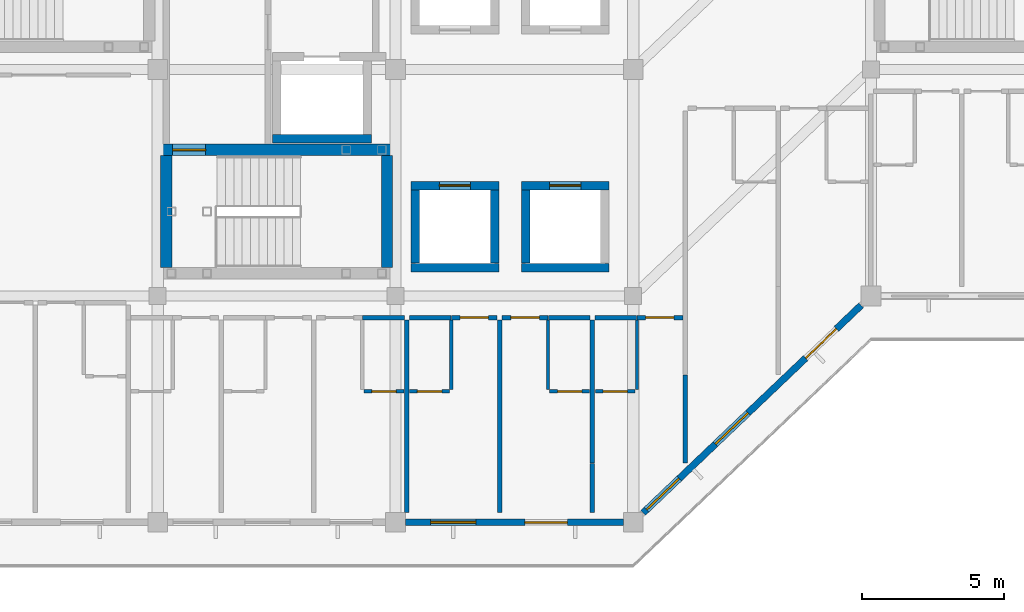
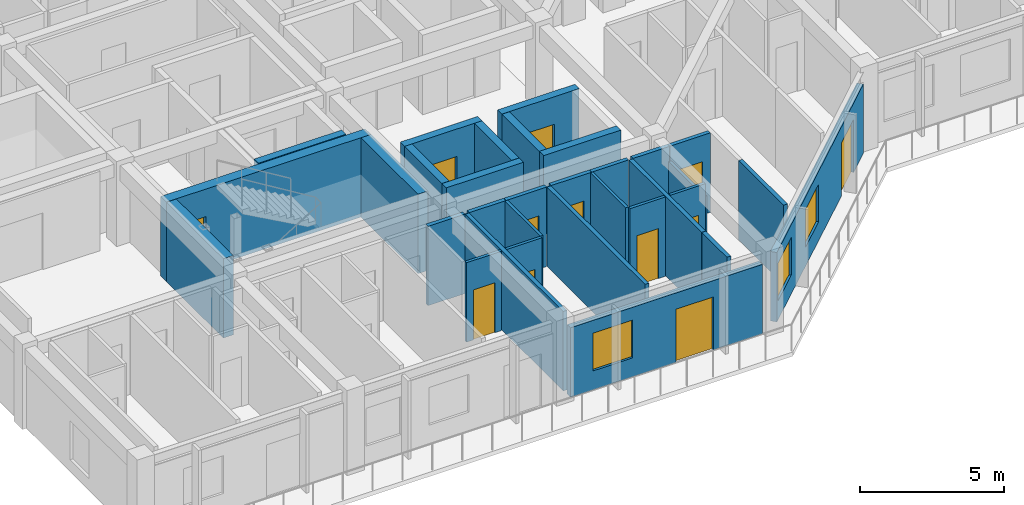
# One storey, part 5 of 15: 32 walls, 12 doors, 3 windows, 15 openings.
"""IFC4 building model written with IfcOpenShell, lengths in metres."""

from ifc_helpers import new_model, si_unit, direction, frame, frame_2d, origin, place, context, subcontext, project, spatial, rectangle, extrude, material, layer, layer_set, type_object, element, fill, save


model = new_model("IFC4")

# Units and contexts
model_context = context("Model", 3, precision=1e-05, world=origin(), true_north=direction((0.0, 1.0)))
body_context = subcontext(model_context, "Body", "Model", "MODEL_VIEW")
ifc_project = project(units=[si_unit("LENGTHUNIT", "METRE"), si_unit("AREAUNIT", "SQUARE_METRE"), si_unit("VOLUMEUNIT", "CUBIC_METRE"), si_unit("PLANEANGLEUNIT", "RADIAN"), si_unit("MASSUNIT", "GRAM", prefix="KILO")], contexts=[model_context])

# Site, building, storey
site_placement = place(None, origin())
site = spatial("IfcSite", under=ifc_project, at=site_placement, CompositionType="ELEMENT")
building_placement = place(site_placement, origin())
building = spatial("IfcBuilding", under=site, at=building_placement, Name="Naruveol Harbour Congress Hotel", CompositionType="ELEMENT")
storey_placement = place(building_placement, frame((0.0, 0.0, 36.0)))
storey = spatial("IfcBuildingStorey", under=building, at=storey_placement, Name="L08", CompositionType="ELEMENT", Elevation=36.0)

# Wall, opening, door
ifc_material_1 = material(Name="Moisture-Resistant Gypsum Partition", Category="gypsum")
ifc_layer_1 = layer(ifc_material_1, 0.114990234375)
ifc_layer_set_1 = layer_set([ifc_layer_1], Name="Moisture-Resistant Gypsum Partition")
wall_type_1 = type_object("IfcWallType", Name="BATHROOM MOISTURE PARTITION WALL 115", PredefinedType="PARTITIONING", material=ifc_layer_set_1)
wall_1_placement = place(storey_placement, frame((133.2900390625, 4.6298828125, 0.0), z_axis=(0.0, 0.0, 1.0), x_axis=(1.0, 0.0, 0.0)))
wall_1 = element("IfcWall", 1, at=wall_1_placement, inside=storey, type_object=wall_type_1, Name="Bathroom south wall 0925 PW-115", PredefinedType="PARTITIONING", context=body_context, shape_type="SweptSolid", body=[
    extrude(rectangle(XDim=1.409912109375, YDim=0.114990234375, at=frame_2d((0.705078125, 0.0))), origin(), (0.0, 0.0, 1.0), 3.364990234375),
])
opening_1_placement = place(wall_1_placement, frame((0.27490234375, 0.0, 0.0)))
opening_1 = element("IfcOpeningElement", 2, at=opening_1_placement, cuts=wall_1, Name="Opening BD-RM0925", PredefinedType="OPENING", context=body_context, shape_type="SweptSolid", body=[
    extrude(rectangle(XDim=0.860107421875, YDim=2.1201171875, at=frame_2d((0.43017578125, 1.06005859375))), frame((0.0, 0.0673828125, 0.0), z_axis=(0.0, -1.0, 0.0), x_axis=(1.0, 0.0, 0.0)), (0.0, 0.0, 1.0), 0.135009765625),
])
ifc_material_2 = material(Name="Timber & Steel Acoustic Leaf", Category="steel")
door_type_1 = type_object("IfcDoorType", Name="GUEST BATHROOM DOOR 860X2120", OperationType="NOTDEFINED", PredefinedType="DOOR", material=ifc_material_2)
door_1_placement = place(opening_1_placement, origin())
door_1 = element("IfcDoor", 3, at=door_1_placement, inside=storey, type_object=door_type_1, Name="Bathroom Door 0925", OperationType="SINGLE_SWING_RIGHT", OverallHeight=2.1201171875, OverallWidth=0.860107421875, PredefinedType="DOOR", context=body_context, shape_type="SweptSolid", body=[
    extrude(rectangle(XDim=0.860107421875, YDim=2.1201171875, at=frame_2d((0.43017578125, 1.06005859375))), frame((0.0, 0.02490234375, 0.0), z_axis=(0.0, -1.0, 0.0), x_axis=(1.0, 0.0, 0.0)), (0.0, 0.0, 1.0), 0.050048828125),
])
fill(opening_1, door_1)

# Wall
wall_2_placement = place(storey_placement, frame((136.3701171875, 4.68994140625, 0.0), z_axis=(0.0, 0.0, 1.0), x_axis=(0.0, 1.0, 0.0)))
element("IfcWall", 4, at=wall_2_placement, inside=storey, type_object=wall_type_1, Name="Bathroom east wall 0926 PW-115", PredefinedType="PARTITIONING", context=body_context, shape_type="SweptSolid", body=[
    extrude(rectangle(XDim=2.449951171875, YDim=0.114990234375, at=frame_2d((1.22509765625, 0.0))), origin(), (0.0, 0.0, 1.0), 3.364990234375),
])

# Wall, opening, door
wall_3_placement = place(storey_placement, frame((134.89990234375, 4.6298828125, 0.0), z_axis=(0.0, 0.0, 1.0), x_axis=(1.0, 0.0, 0.0)))
wall_3 = element("IfcWall", 5, at=wall_3_placement, inside=storey, type_object=wall_type_1, Name="Bathroom south wall 0926 PW-115", PredefinedType="PARTITIONING", context=body_context, shape_type="SweptSolid", body=[
    extrude(rectangle(XDim=1.41015625, YDim=0.114990234375, at=frame_2d((0.705078125, 0.0))), origin(), (0.0, 0.0, 1.0), 3.364990234375),
])
opening_2_placement = place(wall_3_placement, frame((0.27490234375, 0.0, 0.0)))
opening_2 = element("IfcOpeningElement", 6, at=opening_2_placement, cuts=wall_3, Name="Opening BD-RM0926", PredefinedType="OPENING", context=body_context, shape_type="SweptSolid", body=[
    extrude(rectangle(XDim=0.860107421875, YDim=2.1201171875, at=frame_2d((0.43017578125, 1.06005859375))), frame((0.0, 0.0673828125, 0.0), z_axis=(0.0, -1.0, 0.0), x_axis=(1.0, 0.0, 0.0)), (0.0, 0.0, 1.0), 0.135009765625),
])
door_2_placement = place(opening_2_placement, origin())
door_2 = element("IfcDoor", 7, at=door_2_placement, inside=storey, type_object=door_type_1, Name="Bathroom Door 0926", OperationType="SINGLE_SWING_RIGHT", OverallHeight=2.1201171875, OverallWidth=0.860107421875, PredefinedType="DOOR", context=body_context, shape_type="SweptSolid", body=[
    extrude(rectangle(XDim=0.860107421875, YDim=2.1201171875, at=frame_2d((0.43017578125, 1.06005859375))), frame((0.0, 0.02490234375, 0.0), z_axis=(0.0, -1.0, 0.0), x_axis=(1.0, 0.0, 0.0)), (0.0, 0.0, 1.0), 0.050048828125),
])
fill(opening_2, door_2)

# Wall
wall_4_placement = place(storey_placement, frame((139.7900390625, 4.68994140625, 0.0), z_axis=(0.0, 0.0, 1.0), x_axis=(0.0, 1.0, 0.0)))
element("IfcWall", 8, at=wall_4_placement, inside=storey, type_object=wall_type_1, Name="Bathroom west wall 0927 PW-115", PredefinedType="PARTITIONING", context=body_context, shape_type="SweptSolid", body=[
    extrude(rectangle(XDim=2.449951171875, YDim=0.114990234375, at=frame_2d((1.22509765625, 0.0))), origin(), (0.0, 0.0, 1.0), 3.364990234375),
])

# Wall, opening, door
wall_5_placement = place(storey_placement, frame((139.85009765625, 4.6298828125, 0.0), z_axis=(0.0, 0.0, 1.0), x_axis=(1.0, 0.0, 0.0)))
wall_5 = element("IfcWall", 9, at=wall_5_placement, inside=storey, type_object=wall_type_1, Name="Bathroom south wall 0927 PW-115", PredefinedType="PARTITIONING", context=body_context, shape_type="SweptSolid", body=[
    extrude(rectangle(XDim=1.409912109375, YDim=0.114990234375, at=frame_2d((0.705078125, 0.0))), origin(), (0.0, 0.0, 1.0), 3.364990234375),
])
opening_3_placement = place(wall_5_placement, frame((0.27490234375, 0.0, 0.0)))
opening_3 = element("IfcOpeningElement", 10, at=opening_3_placement, cuts=wall_5, Name="Opening BD-RM0927", PredefinedType="OPENING", context=body_context, shape_type="SweptSolid", body=[
    extrude(rectangle(XDim=0.860107421875, YDim=2.1201171875, at=frame_2d((0.43017578125, 1.06005859375))), frame((0.0, 0.0673828125, 0.0), z_axis=(0.0, -1.0, 0.0), x_axis=(1.0, 0.0, 0.0)), (0.0, 0.0, 1.0), 0.135009765625),
])
door_3_placement = place(opening_3_placement, origin())
door_3 = element("IfcDoor", 11, at=door_3_placement, inside=storey, type_object=door_type_1, Name="Bathroom Door 0927", OperationType="SINGLE_SWING_RIGHT", OverallHeight=2.1201171875, OverallWidth=0.860107421875, PredefinedType="DOOR", context=body_context, shape_type="SweptSolid", body=[
    extrude(rectangle(XDim=0.860107421875, YDim=2.1201171875, at=frame_2d((0.43017578125, 1.06005859375))), frame((0.0, 0.02490234375, 0.0), z_axis=(0.0, -1.0, 0.0), x_axis=(1.0, 0.0, 0.0)), (0.0, 0.0, 1.0), 0.050048828125),
])
fill(opening_3, door_3)

# Wall
wall_6_placement = place(storey_placement, frame((142.929931640625, 4.68994140625, 0.0), z_axis=(0.0, 0.0, 1.0), x_axis=(0.0, 1.0, 0.0)))
element("IfcWall", 12, at=wall_6_placement, inside=storey, type_object=wall_type_1, Name="Bathroom east wall 0928 PW-115", PredefinedType="PARTITIONING", context=body_context, shape_type="SweptSolid", body=[
    extrude(rectangle(XDim=2.449951171875, YDim=0.114990234375, at=frame_2d((1.22509765625, 0.0))), origin(), (0.0, 0.0, 1.0), 2.739990234375),
])

# Wall, opening, door
wall_7_placement = place(storey_placement, frame((141.4599609375, 4.6298828125, 0.0), z_axis=(0.0, 0.0, 1.0), x_axis=(1.0, 0.0, 0.0)))
wall_7 = element("IfcWall", 13, at=wall_7_placement, inside=storey, type_object=wall_type_1, Name="Bathroom south wall 0928 PW-115", PredefinedType="PARTITIONING", context=body_context, shape_type="SweptSolid", body=[
    extrude(rectangle(XDim=1.41015625, YDim=0.114990234375, at=frame_2d((0.705078125, 0.0))), origin(), (0.0, 0.0, 1.0), 3.364990234375),
])
opening_4_placement = place(wall_7_placement, frame((0.27490234375, 0.0, 0.0)))
opening_4 = element("IfcOpeningElement", 14, at=opening_4_placement, cuts=wall_7, Name="Opening BD-RM0928", PredefinedType="OPENING", context=body_context, shape_type="SweptSolid", body=[
    extrude(rectangle(XDim=0.860107421875, YDim=2.1201171875, at=frame_2d((0.43017578125, 1.06005859375))), frame((0.0, 0.0673828125, 0.0), z_axis=(0.0, -1.0, 0.0), x_axis=(1.0, 0.0, 0.0)), (0.0, 0.0, 1.0), 0.135009765625),
])
door_4_placement = place(opening_4_placement, origin())
door_4 = element("IfcDoor", 15, at=door_4_placement, inside=storey, type_object=door_type_1, Name="Bathroom Door 0928", OperationType="SINGLE_SWING_RIGHT", OverallHeight=2.1201171875, OverallWidth=0.860107421875, PredefinedType="DOOR", context=body_context, shape_type="SweptSolid", body=[
    extrude(rectangle(XDim=0.860107421875, YDim=2.1201171875, at=frame_2d((0.43017578125, 1.06005859375))), frame((0.0, 0.02490234375, 0.0), z_axis=(0.0, -1.0, 0.0), x_axis=(1.0, 0.0, 0.0)), (0.0, 0.0, 1.0), 0.050048828125),
])
fill(opening_4, door_4)

# Walls
ifc_material_3 = material(Name="Autoclaved Aerated Concrete Block", Category="concrete")
ifc_layer_2 = layer(ifc_material_3, 0.159912109375)
ifc_layer_set_2 = layer_set([ifc_layer_2], Name="Autoclaved Aerated Concrete Block")
wall_type_2 = type_object("IfcWallType", Name="HOTEL PARTY AND CORRIDOR WALL 160 EI60", PredefinedType="PARTITIONING", material=ifc_layer_set_2)
wall_8_placement = place(storey_placement, frame((133.239990234375, 7.22998046875, 0.0), z_axis=(0.0, 0.0, 1.0), x_axis=(1.0, 0.0, 0.0)))
element("IfcWall", 16, at=wall_8_placement, inside=storey, type_object=wall_type_2, Name="Corridor wall 0925B PW-160", PredefinedType="PARTITIONING", context=body_context, shape_type="SweptSolid", body=[
    extrude(rectangle(XDim=1.469970703125, YDim=0.159912109375, at=frame_2d((0.73486328125, 0.0))), origin(), (0.0, 0.0, 1.0), 3.364990234375),
])
wall_9_placement = place(storey_placement, frame((134.889892578125, 7.22998046875, 0.0), z_axis=(0.0, 0.0, 1.0), x_axis=(1.0, 0.0, 0.0)))
element("IfcWall", 17, at=wall_9_placement, inside=storey, type_object=wall_type_2, Name="Corridor wall 0926B PW-160", PredefinedType="PARTITIONING", context=body_context, shape_type="SweptSolid", body=[
    extrude(rectangle(XDim=1.47021484375, YDim=0.159912109375, at=frame_2d((0.735107421875, 0.0))), origin(), (0.0, 0.0, 1.0), 3.364990234375),
])

# Wall, opening, door
wall_10_placement = place(storey_placement, frame((136.3701171875, 7.22998046875, 0.0), z_axis=(0.0, 0.0, 1.0), x_axis=(1.0, 0.0, 0.0)))
wall_10 = element("IfcWall", 18, at=wall_10_placement, inside=storey, type_object=wall_type_2, Name="Corridor entry wall 0926 PW-160", PredefinedType="PARTITIONING", context=body_context, shape_type="SweptSolid", body=[
    extrude(rectangle(XDim=1.619873046875, YDim=0.159912109375, at=frame_2d((0.81005859375, 0.0))), origin(), (0.0, 0.0, 1.0), 3.364990234375),
])
opening_5_placement = place(wall_10_placement, frame((0.31005859375, 0.0, 0.0)))
opening_5 = element("IfcOpeningElement", 19, at=opening_5_placement, cuts=wall_10, Name="Opening FD-RM0926", PredefinedType="OPENING", context=body_context, shape_type="SweptSolid", body=[
    extrude(rectangle(XDim=1.0, YDim=2.25, at=frame_2d((0.5, 1.125))), frame((0.0, 0.08984375, 0.0), z_axis=(0.0, -1.0, 0.0), x_axis=(1.0, 0.0, 0.0)), (0.0, 0.0, 1.0), 0.179931640625),
])
ifc_material_4 = material(Name="Timber & Steel Acoustic Leaf", Category="steel")
door_type_2 = type_object("IfcDoorType", Name="DELUXE GUEST ENTRANCE FIRE DOOR 1000X2250", OperationType="NOTDEFINED", PredefinedType="DOOR", material=ifc_material_4)
door_5_placement = place(opening_5_placement, origin())
door_5 = element("IfcDoor", 20, at=door_5_placement, inside=storey, type_object=door_type_2, Name="Hotel Room Door 0926", OperationType="SINGLE_SWING_LEFT", OverallHeight=2.25, OverallWidth=1.0, PredefinedType="DOOR", context=body_context, shape_type="SweptSolid", body=[
    extrude(rectangle(XDim=1.0, YDim=2.25, at=frame_2d((0.5, 1.125))), frame((0.0, 0.02490234375, 0.0), z_axis=(0.0, -1.0, 0.0), x_axis=(1.0, 0.0, 0.0)), (0.0, 0.0, 1.0), 0.050048828125),
])
fill(opening_5, door_5)

# Wall
wall_11_placement = place(storey_placement, frame((134.800048828125, 0.340087890625, 0.0), z_axis=(0.0, 0.0, 1.0), x_axis=(0.0, 1.0, 0.0)))
element("IfcWall", 21, at=wall_11_placement, inside=storey, type_object=wall_type_2, Name="Hotel party wall 0926 PW-160", PredefinedType="PARTITIONING", context=body_context, shape_type="SweptSolid", body=[
    extrude(rectangle(XDim=6.7998046875, YDim=0.159912109375, at=frame_2d((3.39990234375, 0.0))), origin(), (0.0, 0.0, 1.0), 3.364990234375),
])

# Wall, opening, door
wall_12_placement = place(storey_placement, frame((138.169921875, 7.22998046875, 0.0), z_axis=(0.0, 0.0, 1.0), x_axis=(1.0, 0.0, 0.0)))
wall_12 = element("IfcWall", 22, at=wall_12_placement, inside=storey, type_object=wall_type_2, Name="Corridor entry wall 0927 PW-160", PredefinedType="PARTITIONING", context=body_context, shape_type="SweptSolid", body=[
    extrude(rectangle(XDim=1.6201171875, YDim=0.159912109375, at=frame_2d((0.81005859375, 0.0))), origin(), (0.0, 0.0, 1.0), 3.364990234375),
])
opening_6_placement = place(wall_12_placement, frame((0.31005859375, 0.0, 0.0)))
opening_6 = element("IfcOpeningElement", 23, at=opening_6_placement, cuts=wall_12, Name="Opening FD-RM0927", PredefinedType="OPENING", context=body_context, shape_type="SweptSolid", body=[
    extrude(rectangle(XDim=1.0, YDim=2.25, at=frame_2d((0.5, 1.125))), frame((0.0, 0.08984375, 0.0), z_axis=(0.0, -1.0, 0.0), x_axis=(1.0, 0.0, 0.0)), (0.0, 0.0, 1.0), 0.179931640625),
])
door_6_placement = place(opening_6_placement, origin())
door_6 = element("IfcDoor", 24, at=door_6_placement, inside=storey, type_object=door_type_2, Name="Hotel Room Door 0927", OperationType="SINGLE_SWING_LEFT", OverallHeight=2.25, OverallWidth=1.0, PredefinedType="DOOR", context=body_context, shape_type="SweptSolid", body=[
    extrude(rectangle(XDim=1.0, YDim=2.25, at=frame_2d((0.5, 1.125))), frame((0.0, 0.02490234375, 0.0), z_axis=(0.0, -1.0, 0.0), x_axis=(1.0, 0.0, 0.0)), (0.0, 0.0, 1.0), 0.050048828125),
])
fill(opening_6, door_6)

# Walls
wall_13_placement = place(storey_placement, frame((139.800048828125, 7.22998046875, 0.0), z_axis=(0.0, 0.0, 1.0), x_axis=(1.0, 0.0, 0.0)))
element("IfcWall", 25, at=wall_13_placement, inside=storey, type_object=wall_type_2, Name="Corridor wall 0927B PW-160", PredefinedType="PARTITIONING", context=body_context, shape_type="SweptSolid", body=[
    extrude(rectangle(XDim=1.469970703125, YDim=0.159912109375, at=frame_2d((0.73486328125, 0.0))), origin(), (0.0, 0.0, 1.0), 3.364990234375),
])
wall_14_placement = place(storey_placement, frame((138.080078125, 0.340087890625, 0.0), z_axis=(0.0, 0.0, 1.0), x_axis=(0.0, 1.0, 0.0)))
element("IfcWall", 26, at=wall_14_placement, inside=storey, type_object=wall_type_2, Name="Hotel party wall 0927 PW-160", PredefinedType="PARTITIONING", context=body_context, shape_type="SweptSolid", body=[
    extrude(rectangle(XDim=6.7998046875, YDim=0.159912109375, at=frame_2d((3.39990234375, 0.0))), origin(), (0.0, 0.0, 1.0), 3.364990234375),
])
wall_15_placement = place(storey_placement, frame((141.360107421875, 0.340087890625, 0.0), z_axis=(0.0, 0.0, 1.0), x_axis=(0.0, 1.0, 0.0)))
element("IfcWall", 27, at=wall_15_placement, inside=storey, type_object=wall_type_2, Name="Hotel end party wall 0927 PW-160", PredefinedType="PARTITIONING", context=body_context, shape_type="SweptSolid", body=[
    extrude(rectangle(XDim=1.739990234375, YDim=0.159912109375, at=frame_2d((0.8701171875, 0.0))), origin(), (0.0, 0.0, 1.0), 3.364990234375),
])
wall_16_placement = place(storey_placement, frame((141.449951171875, 7.22998046875, 0.0), z_axis=(0.0, 0.0, 1.0), x_axis=(1.0, 0.0, 0.0)))
element("IfcWall", 28, at=wall_16_placement, inside=storey, type_object=wall_type_2, Name="Corridor wall 0928B PW-160", PredefinedType="PARTITIONING", context=body_context, shape_type="SweptSolid", body=[
    extrude(rectangle(XDim=1.469970703125, YDim=0.159912109375, at=frame_2d((0.73486328125, 0.0))), origin(), (0.0, 0.0, 1.0), 3.364990234375),
])

# Wall, opening, door
wall_17_placement = place(storey_placement, frame((142.929931640625, 7.22998046875, 0.0), z_axis=(0.0, 0.0, 1.0), x_axis=(1.0, 0.0, 0.0)))
wall_17 = element("IfcWall", 29, at=wall_17_placement, inside=storey, type_object=wall_type_2, Name="Corridor entry wall 0928 PW-160", PredefinedType="PARTITIONING", context=body_context, shape_type="SweptSolid", body=[
    extrude(rectangle(XDim=1.6201171875, YDim=0.159912109375, at=frame_2d((0.81005859375, 0.0))), origin(), (0.0, 0.0, 1.0), 3.364990234375),
])
opening_7_placement = place(wall_17_placement, frame((0.31005859375, 0.0, 0.0)))
opening_7 = element("IfcOpeningElement", 30, at=opening_7_placement, cuts=wall_17, Name="Opening FD-RM0928", PredefinedType="OPENING", context=body_context, shape_type="SweptSolid", body=[
    extrude(rectangle(XDim=1.0, YDim=2.25, at=frame_2d((0.5, 1.125))), frame((0.0, 0.08984375, 0.0), z_axis=(0.0, -1.0, 0.0), x_axis=(1.0, 0.0, 0.0)), (0.0, 0.0, 1.0), 0.179931640625),
])
door_7_placement = place(opening_7_placement, origin())
door_7 = element("IfcDoor", 31, at=door_7_placement, inside=storey, type_object=door_type_2, Name="Hotel Room Door 0928", OperationType="SINGLE_SWING_LEFT", OverallHeight=2.25, OverallWidth=1.0, PredefinedType="DOOR", context=body_context, shape_type="SweptSolid", body=[
    extrude(rectangle(XDim=1.0, YDim=2.25, at=frame_2d((0.5, 1.125))), frame((0.0, 0.02490234375, 0.0), z_axis=(0.0, -1.0, 0.0), x_axis=(1.0, 0.0, 0.0)), (0.0, 0.0, 1.0), 0.050048828125),
])
fill(opening_7, door_7)

# Walls
wall_18_placement = place(storey_placement, frame((141.360107421875, 2.090087890625, 0.0), z_axis=(0.0, 0.0, 1.0), x_axis=(0.0, 1.0, 0.0)))
element("IfcWall", 32, at=wall_18_placement, inside=storey, type_object=wall_type_2, Name="Hotel party wall 0928 PW-160", PredefinedType="PARTITIONING", context=body_context, shape_type="SweptSolid", body=[
    extrude(rectangle(XDim=5.0498046875, YDim=0.159912109375, at=frame_2d((2.52490234375, 0.0))), origin(), (0.0, 0.0, 1.0), 3.364990234375),
])
wall_19_placement = place(storey_placement, frame((144.639892578125, 2.090087890625, 0.0), z_axis=(0.0, 0.0, 1.0), x_axis=(0.0, 1.0, 0.0)))
element("IfcWall", 33, at=wall_19_placement, inside=storey, type_object=wall_type_2, Name="Hotel end party wall 0928 PW-160", PredefinedType="PARTITIONING", context=body_context, shape_type="SweptSolid", body=[
    extrude(rectangle(XDim=3.119873046875, YDim=0.159912109375, at=frame_2d((1.56005859375, 0.0))), origin(), (0.0, 0.0, 1.0), 3.364990234375),
])

# Wall, openings, window, door
ifc_material_5 = material(Name="Concrete C40/50", Category="concrete")
ifc_layer_3 = layer(ifc_material_5, 0.239990234375)
ifc_layer_set_3 = layer_set([ifc_layer_3], Name="Concrete C40/50")
wall_type_3 = type_object("IfcWallType", Name="INSULATED HOTEL SPANDREL WALL 240", PredefinedType="SOLIDWALL", material=ifc_layer_set_3)
wall_20_placement = place(storey_placement, frame((142.449951171875, 0.0, 0.0), z_axis=(0.0, 0.0, 1.0), x_axis=(-1.0, 0.0, 0.0)))
wall_20 = element("IfcWall", 34, at=wall_20_placement, inside=storey, type_object=wall_type_3, Name="Hotel south waterfront wall L08 EW-240", PredefinedType="SOLIDWALL", context=body_context, shape_type="SweptSolid", body=[
    extrude(rectangle(XDim=7.699951171875, YDim=0.239990234375, at=frame_2d((3.85009765625, 0.0))), origin(), (0.0, 0.0, 1.0), 2.93994140625),
])
opening_8_placement = place(wall_20_placement, frame((1.97998046875, 0.0, 0.0)))
opening_8 = element("IfcOpeningElement", 35, at=opening_8_placement, cuts=wall_20, Name="Opening BD-150-063", PredefinedType="OPENING", context=body_context, shape_type="SweptSolid", body=[
    extrude(rectangle(XDim=1.5, YDim=2.25, at=frame_2d((0.75, 1.125))), frame((0.0, 0.1298828125, 0.0), z_axis=(0.0, -1.0, 0.0), x_axis=(1.0, 0.0, 0.0)), (0.0, 0.0, 1.0), 0.260009765625),
])
opening_9_placement = place(wall_20_placement, frame((5.2099609375, 0.0, 0.800048828125)))
opening_9 = element("IfcOpeningElement", 36, at=opening_9_placement, cuts=wall_20, Name="Opening W-03", PredefinedType="OPENING", context=body_context, shape_type="SweptSolid", body=[
    extrude(rectangle(XDim=1.60009765625, YDim=1.60009765625, at=frame_2d((0.800048828125, 0.800048828125))), frame((0.0, 0.1298828125, 0.0), z_axis=(0.0, -1.0, 0.0), x_axis=(1.0, 0.0, 0.0)), (0.0, 0.0, 1.0), 0.260009765625),
])
ifc_material_6 = material(Name="Low-E Triple Glazing in Thermal Aluminium", Category="aluminium")
window_type = type_object("IfcWindowType", Name="DELUXE GUEST WINDOW 1600X1600", PartitioningType="SINGLE_PANEL", PredefinedType="WINDOW", material=ifc_material_6)
window_1_placement = place(opening_9_placement, origin())
window_1 = element("IfcWindow", 37, at=window_1_placement, inside=storey, type_object=window_type, Name="Window W-03 #423", OverallHeight=1.60009765625, OverallWidth=1.60009765625, PartitioningType="SINGLE_PANEL", PredefinedType="WINDOW", context=body_context, shape_type="SweptSolid", body=[
    extrude(rectangle(XDim=1.60009765625, YDim=1.60009765625, at=frame_2d((0.800048828125, 0.800048828125))), frame((0.0, 0.030029296875, 0.0), z_axis=(0.0, -1.0, 0.0), x_axis=(1.0, 0.0, 0.0)), (0.0, 0.0, 1.0), 0.06005859375),
])
fill(opening_9, window_1)
ifc_material_7 = material(Name="Powder-Coated Steel & Insulated Glazing", Category="steel")
door_type_3 = type_object("IfcDoorType", Name="SUITE BALCONY SLIDING DOOR 1500X2250", OperationType="SLIDING_TO_LEFT", PredefinedType="DOOR", material=ifc_material_7)
door_8_placement = place(opening_8_placement, origin())
door_8 = element("IfcDoor", 38, at=door_8_placement, inside=storey, type_object=door_type_3, Name="Exterior door BD-150-063", OperationType="SLIDING_TO_LEFT", OverallHeight=2.25, OverallWidth=1.5, PredefinedType="DOOR", context=body_context, shape_type="SweptSolid", body=[
    extrude(rectangle(XDim=1.5, YDim=2.25, at=frame_2d((0.75, 1.125))), frame((0.0, 0.02490234375, 0.0), z_axis=(0.0, -1.0, 0.0), x_axis=(1.0, 0.0, 0.0)), (0.0, 0.0, 1.0), 0.050048828125),
])
fill(opening_8, door_8)

# Wall, openings, windows, door
wall_21_placement = place(storey_placement, frame((150.85009765625, 7.6669921875, 0.0), z_axis=(0.0, 0.0, 1.0), x_axis=(-0.724116091282, -0.689678103427, 0.0)))
wall_21 = element("IfcWall", 39, at=wall_21_placement, inside=storey, type_object=wall_type_3, Name="Hotel south waterfront wall L08 EW-240", PredefinedType="SOLIDWALL", context=body_context, shape_type="SweptSolid", body=[
    extrude(rectangle(XDim=10.634033203125, YDim=0.239990234375, at=frame_2d((5.31689453125, 0.0))), origin(), (0.0, 0.0, 1.0), 2.93994140625),
])
opening_10_placement = place(wall_21_placement, frame((1.2041015625, 0.0, 0.0)))
opening_10 = element("IfcOpeningElement", 40, at=opening_10_placement, cuts=wall_21, Name="Opening BD-150-064", PredefinedType="OPENING", context=body_context, shape_type="SweptSolid", body=[
    extrude(rectangle(XDim=1.5, YDim=2.25, at=frame_2d((0.75, 1.125))), frame((0.0, 0.1298828125, 0.0), z_axis=(0.0, -1.0, 0.0), x_axis=(1.0, 0.0, 0.0)), (0.0, 0.0, 1.0), 0.260009765625),
])
opening_11_placement = place(wall_21_placement, frame((5.510986328125, 0.0, 0.800048828125)))
opening_11 = element("IfcOpeningElement", 41, at=opening_11_placement, cuts=wall_21, Name="Opening W-03", PredefinedType="OPENING", context=body_context, shape_type="SweptSolid", body=[
    extrude(rectangle(XDim=1.60009765625, YDim=1.60009765625, at=frame_2d((0.800048828125, 0.800048828125))), frame((0.0, 0.1298828125, 0.0), z_axis=(0.0, -1.0, 0.0), x_axis=(1.0, 0.0, 0.0)), (0.0, 0.0, 1.0), 0.260009765625),
])
opening_12_placement = place(wall_21_placement, frame((8.8740234375, 0.0, 0.800048828125)))
opening_12 = element("IfcOpeningElement", 42, at=opening_12_placement, cuts=wall_21, Name="Opening W-03", PredefinedType="OPENING", context=body_context, shape_type="SweptSolid", body=[
    extrude(rectangle(XDim=1.60009765625, YDim=1.60009765625, at=frame_2d((0.800048828125, 0.800048828125))), frame((0.0, 0.1298828125, 0.0), z_axis=(0.0, -1.0, 0.0), x_axis=(1.0, 0.0, 0.0)), (0.0, 0.0, 1.0), 0.260009765625),
])
window_2_placement = place(opening_11_placement, origin())
window_2 = element("IfcWindow", 43, at=window_2_placement, inside=storey, type_object=window_type, Name="Window W-03 #426", OverallHeight=1.60009765625, OverallWidth=1.60009765625, PartitioningType="SINGLE_PANEL", PredefinedType="WINDOW", context=body_context, shape_type="SweptSolid", body=[
    extrude(rectangle(XDim=1.60009765625, YDim=1.60009765625, at=frame_2d((0.800048828125, 0.800048828125))), frame((0.0, 0.030029296875, 0.0), z_axis=(0.0, -1.0, 0.0), x_axis=(1.0, 0.0, 0.0)), (0.0, 0.0, 1.0), 0.06005859375),
])
fill(opening_11, window_2)
window_3_placement = place(opening_12_placement, origin())
window_3 = element("IfcWindow", 44, at=window_3_placement, inside=storey, type_object=window_type, Name="Window W-03 #427", OverallHeight=1.60009765625, OverallWidth=1.60009765625, PartitioningType="SINGLE_PANEL", PredefinedType="WINDOW", context=body_context, shape_type="SweptSolid", body=[
    extrude(rectangle(XDim=1.60009765625, YDim=1.60009765625, at=frame_2d((0.800048828125, 0.800048828125))), frame((0.0, 0.030029296875, 0.0), z_axis=(0.0, -1.0, 0.0), x_axis=(1.0, 0.0, 0.0)), (0.0, 0.0, 1.0), 0.06005859375),
])
fill(opening_12, window_3)
door_9_placement = place(opening_10_placement, origin())
door_9 = element("IfcDoor", 45, at=door_9_placement, inside=storey, type_object=door_type_3, Name="Exterior door BD-150-064", OperationType="SLIDING_TO_LEFT", OverallHeight=2.25, OverallWidth=1.5, PredefinedType="DOOR", context=body_context, shape_type="SweptSolid", body=[
    extrude(rectangle(XDim=1.5, YDim=2.25, at=frame_2d((0.75, 1.125))), frame((0.0, 0.02490234375, 0.0), z_axis=(0.0, -1.0, 0.0), x_axis=(1.0, 0.0, 0.0)), (0.0, 0.0, 1.0), 0.050048828125),
])
fill(opening_10, door_9)

# Wall
ifc_material_8 = material(Name="Concrete C50/60", Category="concrete")
ifc_layer_4 = layer(ifc_material_8, 0.39990234375)
ifc_layer_set_4 = layer_set([ifc_layer_4], Name="Concrete C50/60")
wall_type_4 = type_object("IfcWallType", Name="RC CORE SHEAR WALL 400 EI120", PredefinedType="SHEAR", material=ifc_layer_set_4)
wall_22_placement = place(storey_placement, frame((134.10009765625, 9.0048828125, 0.0), z_axis=(0.0, 0.0, 1.0), x_axis=(0.0, 1.0, 0.0)))
element("IfcWall", 46, at=wall_22_placement, inside=storey, type_object=wall_type_4, Name="Stair ST1 east core wall CW-400", PredefinedType="SHEAR", context=body_context, shape_type="SweptSolid", body=[
    extrude(rectangle(XDim=3.9501953125, YDim=0.39990234375, at=frame_2d((1.97509765625, 0.0))), origin(), (0.0, 0.0, 1.0), 3.364990234375),
])

# Wall, opening, door
wall_23_placement = place(storey_placement, frame((126.10009765625, 13.159912109375, 0.0), z_axis=(0.0, 0.0, 1.0), x_axis=(1.0, 0.0, 0.0)))
wall_23 = element("IfcWall", 47, at=wall_23_placement, inside=storey, type_object=wall_type_4, Name="Stair ST1 north core wall CW-400", PredefinedType="SHEAR", context=body_context, shape_type="SweptSolid", body=[
    extrude(rectangle(XDim=8.199951171875, YDim=0.39990234375, at=frame_2d((4.10009765625, 0.0))), origin(), (0.0, 0.0, 1.0), 3.364990234375),
])
opening_13_placement = place(wall_23_placement, frame((0.429931640625, 0.0, 0.0)))
opening_13 = element("IfcOpeningElement", 48, at=opening_13_placement, cuts=wall_23, Name="Opening FD-ST1-S-L08", PredefinedType="OPENING", context=body_context, shape_type="SweptSolid", body=[
    extrude(rectangle(XDim=1.159912109375, YDim=2.199951171875, at=frame_2d((0.580078125, 1.10009765625))), frame((0.0, 0.2099609375, 0.0), z_axis=(0.0, -1.0, 0.0), x_axis=(1.0, 0.0, 0.0)), (0.0, 0.0, 1.0), 0.419921875),
])
ifc_material_9 = material(Name="Timber & Steel Acoustic Leaf", Category="steel")
door_type_4 = type_object("IfcDoorType", Name="SPECIAL ESCAPE STAIR FIRE DOOR 1160X2200", OperationType="NOTDEFINED", PredefinedType="DOOR", material=ifc_material_9)
door_10_placement = place(opening_13_placement, origin())
door_10 = element("IfcDoor", 49, at=door_10_placement, inside=storey, type_object=door_type_4, Name="Special Escape Stair Door ST1 L08", OperationType="SINGLE_SWING_RIGHT", OverallHeight=2.199951171875, OverallWidth=1.159912109375, PredefinedType="DOOR", context=body_context, shape_type="SweptSolid", body=[
    extrude(rectangle(XDim=1.159912109375, YDim=2.199951171875, at=frame_2d((0.580078125, 1.10009765625))), frame((0.0, 0.02490234375, 0.0), z_axis=(0.0, -1.0, 0.0), x_axis=(1.0, 0.0, 0.0)), (0.0, 0.0, 1.0), 0.050048828125),
])
fill(opening_13, door_10)

# Walls
wall_24_placement = place(storey_placement, frame((126.300048828125, 9.0048828125, 0.0), z_axis=(0.0, 0.0, 1.0), x_axis=(0.0, 1.0, 0.0)))
element("IfcWall", 50, at=wall_24_placement, inside=storey, type_object=wall_type_4, Name="Stair ST1 west core wall CW-400", PredefinedType="SHEAR", context=body_context, shape_type="SweptSolid", body=[
    extrude(rectangle(XDim=3.9501953125, YDim=0.39990234375, at=frame_2d((1.97509765625, 0.0))), origin(), (0.0, 0.0, 1.0), 3.364990234375),
])
ifc_material_10 = material(Name="Concrete C50/60", Category="concrete")
ifc_layer_5 = layer(ifc_material_10, 0.300048828125)
ifc_layer_set_5 = layer_set([ifc_layer_5], Name="Concrete C50/60")
wall_type_5 = type_object("IfcWallType", Name="RC STAIR AND HOISTWAY SHEAR WALL 300 EI120", PredefinedType="SHEAR", material=ifc_layer_set_5)
wall_25_placement = place(storey_placement, frame((134.949951171875, 9.0, 0.0), z_axis=(0.0, 0.0, 1.0), x_axis=(1.0, 0.0, 0.0)))
element("IfcWall", 51, at=wall_25_placement, inside=storey, type_object=wall_type_5, Name="Hoistway south shear wall PL3 SW-300", PredefinedType="SHEAR", context=body_context, shape_type="SweptSolid", body=[
    extrude(rectangle(XDim=3.10009765625, YDim=0.300048828125, at=frame_2d((1.550048828125, 0.0))), origin(), (0.0, 0.0, 1.0), 3.364990234375),
])
wall_26_placement = place(storey_placement, frame((137.89990234375, 9.155029296875, 0.0), z_axis=(0.0, 0.0, 1.0), x_axis=(0.0, 1.0, 0.0)))
element("IfcWall", 52, at=wall_26_placement, inside=storey, type_object=wall_type_5, Name="Hoistway east shear wall PL3 SW-300", PredefinedType="SHEAR", context=body_context, shape_type="SweptSolid", body=[
    extrude(rectangle(XDim=2.590087890625, YDim=0.300048828125, at=frame_2d((1.294921875, 0.0))), origin(), (0.0, 0.0, 1.0), 3.364990234375),
])

# Wall, opening, door
wall_27_placement = place(storey_placement, frame((138.050048828125, 11.89990234375, 0.0), z_axis=(0.0, 0.0, 1.0), x_axis=(-1.0, 0.0, 0.0)))
wall_27 = element("IfcWall", 53, at=wall_27_placement, inside=storey, type_object=wall_type_5, Name="Hoistway north shear wall PL3 SW-300", PredefinedType="SHEAR", context=body_context, shape_type="SweptSolid", body=[
    extrude(rectangle(XDim=3.10009765625, YDim=0.300048828125, at=frame_2d((1.550048828125, 0.0))), origin(), (0.0, 0.0, 1.0), 3.364990234375),
])
opening_14_placement = place(wall_27_placement, frame((1.0, 0.0, 0.0)))
opening_14 = element("IfcOpeningElement", 54, at=opening_14_placement, cuts=wall_27, Name="Opening LD-PL3-L08", PredefinedType="OPENING", context=body_context, shape_type="SweptSolid", body=[
    extrude(rectangle(XDim=1.10009765625, YDim=2.199951171875, at=frame_2d((0.550048828125, 1.10009765625))), frame((0.0, 0.159912109375, 0.0), z_axis=(0.0, -1.0, 0.0), x_axis=(1.0, 0.0, 0.0)), (0.0, 0.0, 1.0), 0.320068359375),
])
ifc_material_11 = material(Name="Stainless Steel Lift Door", Category="steel")
door_type_5 = type_object("IfcDoorType", Name="PASSENGER LIFT LANDING DOOR 1100X2200", OperationType="DOUBLE_DOOR_SLIDING", PredefinedType="DOOR", material=ifc_material_11)
door_11_placement = place(opening_14_placement, origin())
door_11 = element("IfcDoor", 55, at=door_11_placement, inside=storey, type_object=door_type_5, Name="Elevator Landing Door PL3 L08", OperationType="DOUBLE_DOOR_SLIDING", OverallHeight=2.199951171875, OverallWidth=1.10009765625, PredefinedType="DOOR", context=body_context, shape_type="SweptSolid", body=[
    extrude(rectangle(XDim=1.10009765625, YDim=2.199951171875, at=frame_2d((0.550048828125, 1.10009765625))), frame((0.0, 0.02490234375, 0.0), z_axis=(0.0, -1.0, 0.0), x_axis=(1.0, 0.0, 0.0)), (0.0, 0.0, 1.0), 0.050048828125),
])
fill(opening_14, door_11)

# Walls
wall_28_placement = place(storey_placement, frame((135.10009765625, 11.7451171875, 0.0), z_axis=(0.0, 0.0, 1.0), x_axis=(0.0, -1.0, 0.0)))
element("IfcWall", 56, at=wall_28_placement, inside=storey, type_object=wall_type_5, Name="Hoistway west shear wall PL3 SW-300", PredefinedType="SHEAR", context=body_context, shape_type="SweptSolid", body=[
    extrude(rectangle(XDim=2.590087890625, YDim=0.300048828125, at=frame_2d((1.294921875, 0.0))), origin(), (0.0, 0.0, 1.0), 3.364990234375),
])
wall_29_placement = place(storey_placement, frame((138.85009765625, 9.0, 0.0), z_axis=(0.0, 0.0, 1.0), x_axis=(1.0, 0.0, 0.0)))
element("IfcWall", 57, at=wall_29_placement, inside=storey, type_object=wall_type_5, Name="Hoistway south shear wall PL4 SW-300", PredefinedType="SHEAR", context=body_context, shape_type="SweptSolid", body=[
    extrude(rectangle(XDim=3.099853515625, YDim=0.300048828125, at=frame_2d((1.5498046875, 0.0))), origin(), (0.0, 0.0, 1.0), 3.364990234375),
])

# Wall, opening, door
wall_30_placement = place(storey_placement, frame((141.949951171875, 11.89990234375, 0.0), z_axis=(0.0, 0.0, 1.0), x_axis=(-1.0, 0.0, 0.0)))
wall_30 = element("IfcWall", 58, at=wall_30_placement, inside=storey, type_object=wall_type_5, Name="Hoistway north shear wall PL4 SW-300", PredefinedType="SHEAR", context=body_context, shape_type="SweptSolid", body=[
    extrude(rectangle(XDim=3.099853515625, YDim=0.300048828125, at=frame_2d((1.5498046875, 0.0))), origin(), (0.0, 0.0, 1.0), 3.364990234375),
])
opening_15_placement = place(wall_30_placement, frame((1.0, 0.0, 0.0)))
opening_15 = element("IfcOpeningElement", 59, at=opening_15_placement, cuts=wall_30, Name="Opening LD-PL4-L08", PredefinedType="OPENING", context=body_context, shape_type="SweptSolid", body=[
    extrude(rectangle(XDim=1.10009765625, YDim=2.199951171875, at=frame_2d((0.550048828125, 1.10009765625))), frame((0.0, 0.159912109375, 0.0), z_axis=(0.0, -1.0, 0.0), x_axis=(1.0, 0.0, 0.0)), (0.0, 0.0, 1.0), 0.320068359375),
])
door_12_placement = place(opening_15_placement, origin())
door_12 = element("IfcDoor", 60, at=door_12_placement, inside=storey, type_object=door_type_5, Name="Elevator Landing Door PL4 L08", OperationType="DOUBLE_DOOR_SLIDING", OverallHeight=2.199951171875, OverallWidth=1.10009765625, PredefinedType="DOOR", context=body_context, shape_type="SweptSolid", body=[
    extrude(rectangle(XDim=1.10009765625, YDim=2.199951171875, at=frame_2d((0.550048828125, 1.10009765625))), frame((0.0, 0.02490234375, 0.0), z_axis=(0.0, -1.0, 0.0), x_axis=(1.0, 0.0, 0.0)), (0.0, 0.0, 1.0), 0.050048828125),
])
fill(opening_15, door_12)

# Walls
wall_31_placement = place(storey_placement, frame((139.0, 11.7451171875, 0.0), z_axis=(0.0, 0.0, 1.0), x_axis=(0.0, -1.0, 0.0)))
element("IfcWall", 61, at=wall_31_placement, inside=storey, type_object=wall_type_5, Name="Hoistway west shear wall PL4 SW-300", PredefinedType="SHEAR", context=body_context, shape_type="SweptSolid", body=[
    extrude(rectangle(XDim=2.590087890625, YDim=0.300048828125, at=frame_2d((1.294921875, 0.0))), origin(), (0.0, 0.0, 1.0), 3.364990234375),
])
wall_32_placement = place(storey_placement, frame((130.050048828125, 13.550048828125, 0.0), z_axis=(0.0, 0.0, 1.0), x_axis=(1.0, 0.0, 0.0)))
element("IfcWall", 62, at=wall_32_placement, inside=storey, type_object=wall_type_5, Name="Hoistway south shear wall FL1 SW-300", PredefinedType="SHEAR", context=body_context, shape_type="SweptSolid", body=[
    extrude(rectangle(XDim=3.5, YDim=0.300048828125, at=frame_2d((1.75, 0.0))), origin(), (0.0, 0.0, 1.0), 3.364990234375),
])

save(model, "model.ifc")
